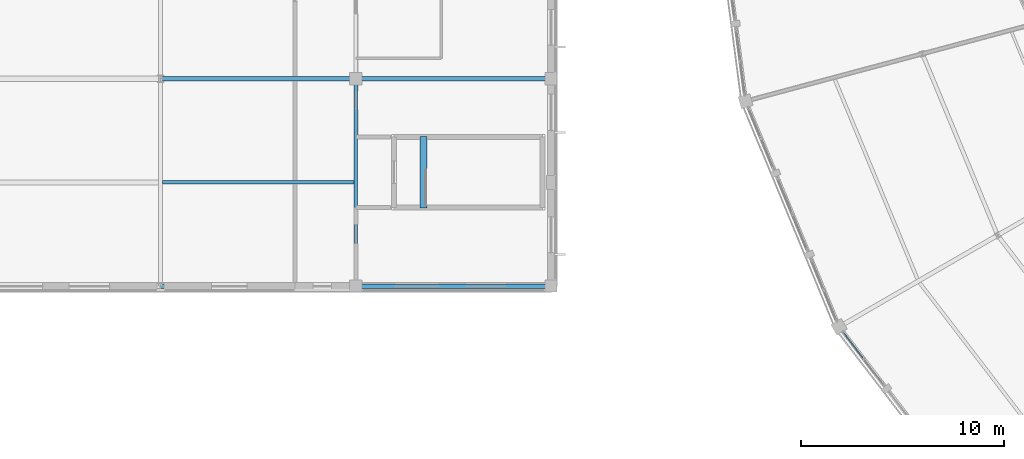
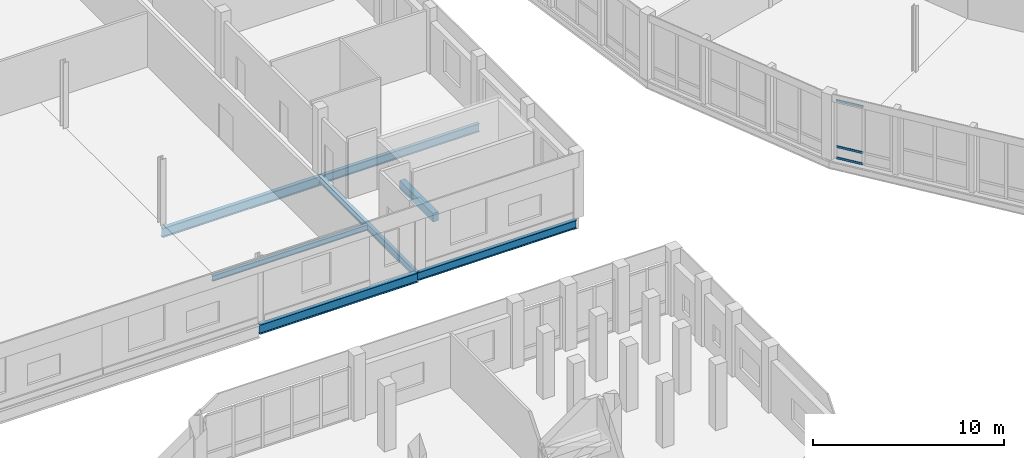
# One storey, part 37 of 185: 7 beams, 3 members, 1 element without a shape of its own.
"""IFC4 building model written with IfcOpenShell, lengths in metres."""

from ifc_helpers import new_model, si_unit, direction, frame, origin, origin_2d, place, context, subcontext, project, spatial, rectangle, hollow_rectangle, i_section, extrude, material, material_profile, profile_set, type_object, element, aggregate, save


model = new_model("IFC4")

# Units and contexts
model_context = context("Model", 3, precision=1e-05, world=origin(), true_north=direction((0.0, 1.0)))
body_context = subcontext(model_context, "Body", "Model", "MODEL_VIEW")
ifc_project = project(units=[si_unit("LENGTHUNIT", "METRE"), si_unit("AREAUNIT", "SQUARE_METRE"), si_unit("VOLUMEUNIT", "CUBIC_METRE"), si_unit("PLANEANGLEUNIT", "RADIAN"), si_unit("MASSUNIT", "GRAM", prefix="KILO")], contexts=[model_context])

# Site, building, storey
site_placement = place(None, origin())
site = spatial("IfcSite", under=ifc_project, at=site_placement, CompositionType="ELEMENT")
building_placement = place(site_placement, origin())
building = spatial("IfcBuilding", under=site, at=building_placement, Name="Vondelvale Polytechnic", CompositionType="ELEMENT")
storey_placement = place(building_placement, frame((0.0, 0.0, 9.60009765625)))
storey = spatial("IfcBuildingStorey", under=building, at=storey_placement, Name="L02", CompositionType="ELEMENT", Elevation=9.60009765625)

# Beams
ifc_material_1 = material(Name="Concrete N40 (f'c = 40 MPa)", Category="concrete")
ifc_material_profile_1 = material_profile(ifc_material_1, rectangle(XDim=0.35009765625, YDim=0.550048828125, at=origin_2d()), Name="RC-BM-350x550")
ifc_profile_set_1 = profile_set([ifc_material_profile_1], Name="Concrete N40 (f'c = 40 MPa)")
beam_type_1 = type_object("IfcBeamType", Name="BM-RC350x550", PredefinedType="BEAM", material=ifc_profile_set_1)
beam_1_placement = place(storey_placement, frame((41.72509765625, 54.85009765625, -0.275146484375), z_axis=(0.0, 1.0, 0.0), x_axis=(-1.0, 0.0, 0.0)))
element("IfcBeam", 1, at=beam_1_placement, inside=storey, type_object=beam_type_1, Name="L02 STHD B-06", PredefinedType="BEAM", context=body_context, shape_type="SweptSolid", body=[
    extrude(rectangle(XDim=0.35009765625, YDim=0.550048828125, at=origin_2d()), origin(), (0.0, 0.0, 1.0), 3.5),
])
ifc_material_2 = material(Name="Steel 300PLUS (fy = 300 MPa)", Category="steel")
ifc_material_profile_2 = material_profile(ifc_material_2, i_section(OverallWidth=0.18994140625, OverallDepth=0.45703125, WebThickness=0.009033203125, FlangeThickness=0.014404296875, FilletRadius=0.011474609375, at=origin_2d()), Name="460UB74.6")
ifc_profile_set_2 = profile_set([ifc_material_profile_2], Name="Steel 300PLUS (fy = 300 MPa)")
beam_type_2 = type_object("IfcBeamType", Name="BM-UB460", PredefinedType="BEAM", material=ifc_profile_set_2)
beam_2_placement = place(storey_placement, frame((38.39990234375, 51.0, -0.508544921875), z_axis=(0.0, 1.0, 0.0), x_axis=(-1.0, 0.0, 0.0)))
element("IfcBeam", 2, at=beam_2_placement, inside=storey, type_object=beam_type_2, Name="L02 B B-13", PredefinedType="BEAM", context=body_context, shape_type="SweptSolid", body=[
    extrude(i_section(OverallWidth=0.18994140625, OverallDepth=0.45703125, WebThickness=0.009033203125, FlangeThickness=0.014404296875, FilletRadius=0.011474609375, at=origin_2d()), origin(), (0.0, 0.0, 1.0), 10.199951171875),
])
ifc_material_profile_3 = material_profile(ifc_material_2, i_section(OverallWidth=0.208984375, OverallDepth=0.528076171875, WebThickness=0.009521484375, FlangeThickness=0.01318359375, FilletRadius=0.013916015625, at=origin_2d()), Name="530UB82.0")
ifc_profile_set_3 = profile_set([ifc_material_profile_3], Name="Steel 300PLUS (fy = 300 MPa)")
beam_type_3 = type_object("IfcBeamType", Name="BM-UB530L", PredefinedType="BEAM", material=ifc_profile_set_3)
for number, where, z_axis, x_axis, name in (
    (3, (38.39990234375, 51.0, -0.544189453125), (1.0, 0.0, 0.0), (0.0, 1.0, 0.0), "L02 B B-21"),
    (4, (38.39990234375, 61.199951171875, -0.544189453125), (1.0, 0.0, 0.0), (0.0, 1.0, 0.0), "L02 B B-21"),
):
    element("IfcBeam", number, at=place(storey_placement, frame(where, z_axis=z_axis, x_axis=x_axis)), inside=storey, type_object=beam_type_3, Name=name, PredefinedType="BEAM", context=body_context, shape_type="SweptSolid", body=[
        extrude(i_section(OverallWidth=0.208984375, OverallDepth=0.528076171875, WebThickness=0.009521484375, FlangeThickness=0.01318359375, FilletRadius=0.013916015625, at=origin_2d()), origin(), (0.0, 0.0, 1.0), 9.60009765625),
    ])
ifc_material_profile_4 = material_profile(ifc_material_2, i_section(OverallWidth=0.22802734375, OverallDepth=0.60205078125, WebThickness=0.010498046875, FlangeThickness=0.014892578125, FilletRadius=0.013916015625, at=origin_2d()), Name="610UB101")
ifc_profile_set_4 = profile_set([ifc_material_profile_4], Name="Steel 300PLUS (fy = 300 MPa)")
beam_type_4 = type_object("IfcBeamType", Name="BM-UB610", PredefinedType="BEAM", material=ifc_profile_set_4)
for number, where, z_axis, x_axis, name in (
    (5, (28.800048828125, 51.0, -0.5810546875), (1.0, 0.0, 0.0), (0.0, 1.0, 0.0), "L02 B B-10"),
    (6, (28.800048828125, 61.199951171875, -0.5810546875), (1.0, 0.0, 0.0), (0.0, 1.0, 0.0), "L02 B B-10"),
):
    element("IfcBeam", number, at=place(storey_placement, frame(where, z_axis=z_axis, x_axis=x_axis)), inside=storey, type_object=beam_type_4, Name=name, PredefinedType="BEAM", context=body_context, shape_type="SweptSolid", body=[
        extrude(i_section(OverallWidth=0.22802734375, OverallDepth=0.60205078125, WebThickness=0.010498046875, FlangeThickness=0.014892578125, FilletRadius=0.013916015625, at=origin_2d()), origin(), (0.0, 0.0, 1.0), 9.599853515625),
    ])

# Curtain wall, members
ifc_material_3 = material(Name="Glulam GL18 structural Tasmanian oak (fb = 42 MPa)", Category="wood")
curtain_wall_type = type_object("IfcCurtainWallType", Name="CW-RING-OUTER", PredefinedType="NOTDEFINED", material=ifc_material_3)
curtain_wall_placement = place(storey_placement, origin())
curtain_wall = element("IfcCurtainWall", 7, at=curtain_wall_placement, inside=storey, type_object=curtain_wall_type, Name="L02 architectural curtain wall CW-04-303", PredefinedType="NOTDEFINED")
ifc_material_4 = material(Name="Anodised extruded aluminium 6063-T6", Category="aluminium")
ifc_material_profile_5 = material_profile(ifc_material_4, hollow_rectangle(XDim=0.06005859375, YDim=0.139892578125, WallThickness=0.00341796875, at=origin_2d()), Name="CW-TRN-140x60")
ifc_profile_set_5 = profile_set([ifc_material_profile_5], Name="Anodised extruded aluminium 6063-T6")
member_type = type_object("IfcMemberType", Name="CW-TRN-60x140", PredefinedType="USERDEFINED", material=ifc_profile_set_5)
member_1_placement = place(storey_placement, frame((62.40478515625, 48.684326171875, 0.02978515625), z_axis=(0.608923875222, -0.7932286645, 0.0), x_axis=(0.7932286645, 0.608923875222, 0.0)))
member_1 = element("IfcMember", 8, at=member_1_placement, type_object=member_type, Name="CW-04-303 transom 1.1", ObjectType="TRANSOM", PredefinedType="USERDEFINED", context=body_context, shape_type="SweptSolid", body=[
    extrude(hollow_rectangle(XDim=0.06005859375, YDim=0.139892578125, WallThickness=0.00341796875, at=origin_2d()), origin(), (0.0, 0.0, 1.0), 1.530029296875),
])
member_2_placement = place(storey_placement, frame((62.40478515625, 48.684326171875, 0.75), z_axis=(0.608923875222, -0.7932286645, 0.0), x_axis=(0.7932286645, 0.608923875222, 0.0)))
member_2 = element("IfcMember", 9, at=member_2_placement, type_object=member_type, Name="CW-04-303 transom 1.2", ObjectType="TRANSOM", PredefinedType="USERDEFINED", context=body_context, shape_type="SweptSolid", body=[
    extrude(hollow_rectangle(XDim=0.06005859375, YDim=0.139892578125, WallThickness=0.00341796875, at=origin_2d()), origin(), (0.0, 0.0, 1.0), 1.530029296875),
])
member_3_placement = place(storey_placement, frame((62.40478515625, 48.684326171875, 3.68994140625), z_axis=(0.608923875222, -0.7932286645, 0.0), x_axis=(0.7932286645, 0.608923875222, 0.0)))
member_3 = element("IfcMember", 10, at=member_3_placement, type_object=member_type, Name="CW-04-303 transom 1.3", ObjectType="TRANSOM", PredefinedType="USERDEFINED", context=body_context, shape_type="SweptSolid", body=[
    extrude(hollow_rectangle(XDim=0.06005859375, YDim=0.139892578125, WallThickness=0.00341796875, at=origin_2d()), origin(), (0.0, 0.0, 1.0), 1.530029296875),
])
aggregate(curtain_wall, [member_1, member_2, member_3])

# Beam
ifc_material_profile_6 = material_profile(ifc_material_2, i_section(OverallWidth=0.1708984375, OverallDepth=0.35595703125, WebThickness=0.00732421875, FlangeThickness=0.011474609375, FilletRadius=0.011474609375, at=origin_2d()), Name="360UB50.7")
ifc_profile_set_6 = profile_set([ifc_material_profile_6], Name="Steel 300PLUS (fy = 300 MPa)")
beam_type_5 = type_object("IfcBeamType", Name="JST-UB360", PredefinedType="JOIST", material=ifc_profile_set_6)
beam_3_placement = place(storey_placement, frame((28.89990234375, 56.10009765625, -0.4580078125), z_axis=(1.0, 0.0, 0.0), x_axis=(0.0, 1.0, 0.0)))
element("IfcBeam", 11, at=beam_3_placement, inside=storey, type_object=beam_type_5, Name="L02 J J-04", PredefinedType="JOIST", context=body_context, shape_type="SweptSolid", body=[
    extrude(i_section(OverallWidth=0.1708984375, OverallDepth=0.35595703125, WebThickness=0.00732421875, FlangeThickness=0.011474609375, FilletRadius=0.011474609375, at=origin_2d()), origin(), (0.0, 0.0, 1.0), 9.400146484375),
])

save(model, "model.ifc")
